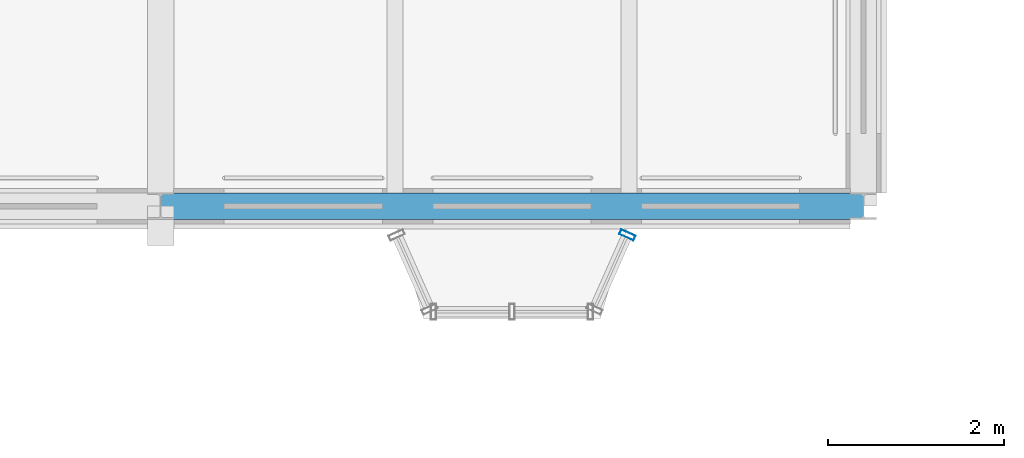
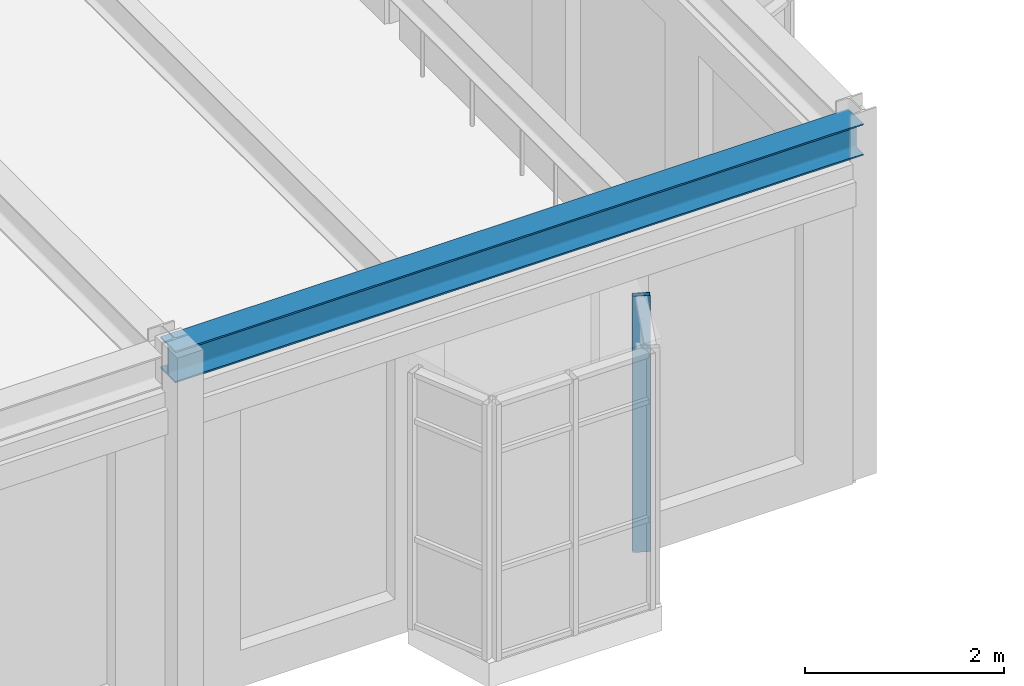
# One storey, part 47 of 153: 1 beam, 1 member, 1 element without a shape of its own.
"""IFC4 building model written with IfcOpenShell, lengths in metres."""

from ifc_helpers import new_model, si_unit, direction, frame, origin, origin_2d, place, context, subcontext, project, spatial, hollow_rectangle, i_section, extrude, material, material_profile, profile_set, type_object, element, aggregate, save


model = new_model("IFC4")

# Units and contexts
model_context = context("Model", 3, precision=1e-05, world=origin(), true_north=direction((0.0, 1.0)))
body_context = subcontext(model_context, "Body", "Model", "MODEL_VIEW")
ifc_project = project(units=[si_unit("LENGTHUNIT", "METRE"), si_unit("AREAUNIT", "SQUARE_METRE"), si_unit("VOLUMEUNIT", "CUBIC_METRE"), si_unit("PLANEANGLEUNIT", "RADIAN"), si_unit("MASSUNIT", "GRAM", prefix="KILO")], contexts=[model_context])

# Site, building, storey
site_placement = place(None, origin())
site = spatial("IfcSite", under=ifc_project, at=site_placement, CompositionType="ELEMENT")
building_placement = place(site_placement, origin())
building = spatial("IfcBuilding", under=site, at=building_placement, Name="Kallimachos Central Library", CompositionType="ELEMENT")
storey_placement = place(building_placement, frame((0.0, 0.0, 5.39990234375)))
storey = spatial("IfcBuildingStorey", under=building, at=storey_placement, Name="L01", CompositionType="ELEMENT", Elevation=5.39990234375)

# Curtain wall, member
ifc_material_1 = material(Name="Laminated glass in anodised aluminium", Category="aluminium")
curtain_wall_type = type_object("IfcCurtainWallType", Name="Foyer curtain wall", PredefinedType="NOTDEFINED", material=ifc_material_1)
curtain_wall_placement = place(storey_placement, origin())
curtain_wall = element("IfcCurtainWall", 1, at=curtain_wall_placement, inside=storey, type_object=curtain_wall_type, Name="Tribune bay return east", PredefinedType="NOTDEFINED")
ifc_material_2 = material(Name="Anodised aluminium", Category="aluminium")
ifc_material_profile_1 = material_profile(ifc_material_2, hollow_rectangle(XDim=0.06005859375, YDim=0.179931640625, WallThickness=0.00390625, at=origin_2d()), Name="ALU MULLION 60x180")
ifc_profile_set_1 = profile_set([ifc_material_profile_1], Name="Anodised aluminium")
member_type = type_object("IfcMemberType", Name="ALU MULLION 60x180 mullion", PredefinedType="MULLION", material=ifc_profile_set_1)
member_placement = place(storey_placement, frame((35.312744140625, 86.672607421875, 0.150146484375), z_axis=(0.0, 0.0, 1.0), x_axis=(0.40613846606, 0.913811548617, 0.0)))
member = element("IfcMember", 2, at=member_placement, type_object=member_type, Name="CW mullion 2", PredefinedType="MULLION", context=body_context, shape_type="SweptSolid", body=[
    extrude(hollow_rectangle(XDim=0.06005859375, YDim=0.179931640625, WallThickness=0.00390625, at=origin_2d()), origin(), (0.0, 0.0, 1.0), 3.14990234375),
])
aggregate(curtain_wall, [member])

# Beam
ifc_material_3 = material(Name="Steel S355J2", Category="steel")
ifc_material_profile_2 = material_profile(ifc_material_3, i_section(OverallWidth=0.300048828125, OverallDepth=0.389892578125, WebThickness=0.010986328125, FlangeThickness=0.01904296875, FilletRadius=0.027099609375, at=origin_2d()), Name="HEA 400")
ifc_profile_set_2 = profile_set([ifc_material_profile_2], Name="Steel S355J2")
beam_type = type_object("IfcBeamType", Name="HEA 400 beam", PredefinedType="BEAM", material=ifc_profile_set_2)
beam_placement = place(storey_placement, frame((30.0, 87.0, 4.155029296875), z_axis=(1.0, 0.0, 0.0), x_axis=(0.0, 1.0, 0.0)))
element("IfcBeam", 3, at=beam_placement, inside=storey, type_object=beam_type, Name="V2-BEM-L01-019", PredefinedType="BEAM", context=body_context, shape_type="SweptSolid", body=[
    extrude(i_section(OverallWidth=0.300048828125, OverallDepth=0.389892578125, WebThickness=0.010986328125, FlangeThickness=0.01904296875, FilletRadius=0.027099609375, at=origin_2d()), origin(), (0.0, 0.0, 1.0), 8.0),
])

save(model, "model.ifc")
